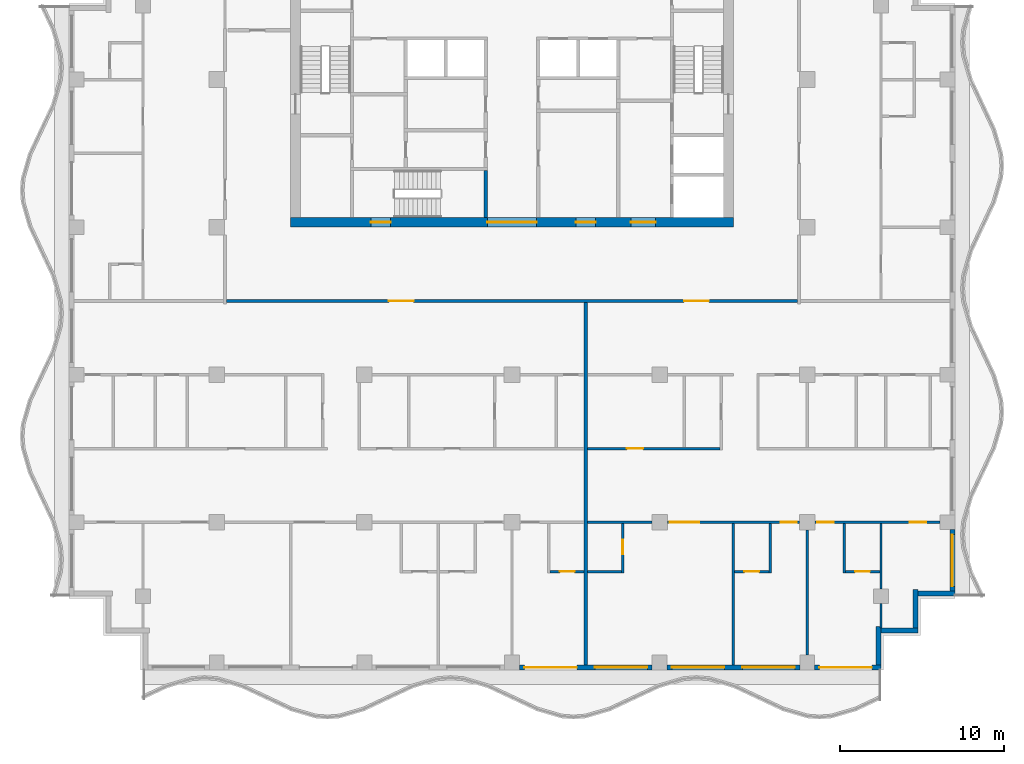
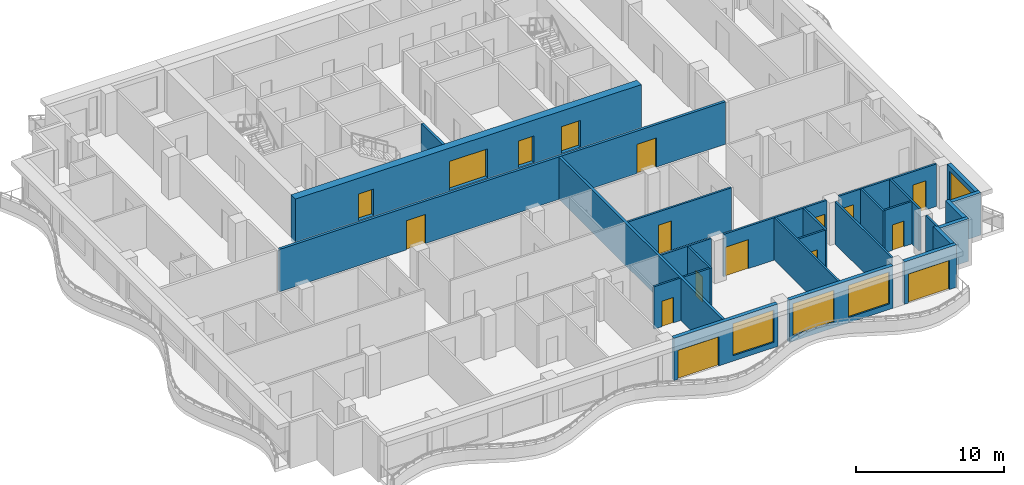
# One storey, part 3 of 11: 27 walls, 17 doors, 4 windows, 21 openings.
"""IFC4 building model written with IfcOpenShell, lengths in metres."""

from ifc_helpers import new_model, si_unit, direction, frame, frame_2d, origin, place, context, subcontext, project, spatial, rectangle, extrude, material, layer, layer_set, type_object, element, fill, save


model = new_model("IFC4")

# Units and contexts
model_context = context("Model", 3, precision=1e-05, world=origin(), true_north=direction((0.0, 1.0)))
body_context = subcontext(model_context, "Body", "Model", "MODEL_VIEW")
ifc_project = project(units=[si_unit("LENGTHUNIT", "METRE"), si_unit("AREAUNIT", "SQUARE_METRE"), si_unit("VOLUMEUNIT", "CUBIC_METRE"), si_unit("PLANEANGLEUNIT", "RADIAN"), si_unit("MASSUNIT", "GRAM", prefix="KILO")], contexts=[model_context])

# Site, building, storey
site_placement = place(None, origin())
site = spatial("IfcSite", under=ifc_project, at=site_placement, CompositionType="ELEMENT")
building_placement = place(site_placement, origin())
building = spatial("IfcBuilding", under=site, at=building_placement, Name="Orbiselva Terraces", CompositionType="ELEMENT")
storey_placement = place(building_placement, frame((0.0, 0.0, 257.8)))
storey = spatial("IfcBuildingStorey", under=building, at=storey_placement, Name="L65", CompositionType="ELEMENT", Elevation=257.8)

# Wall, openings, doors
ifc_material_1 = material(Name="Concrete C80/95", Category="concrete")
ifc_layer_1 = layer(ifc_material_1, 0.6)
ifc_layer_set_1 = layer_set([ifc_layer_1], Name="Concrete C80/95")
wall_type_1 = type_object("IfcWallType", Name="CORE WALL 600", PredefinedType="SHEAR", material=ifc_layer_set_1)
wall_1_placement = place(storey_placement, frame((-13.5, 4.8, -0.3), z_axis=(0.0, 0.0, 1.0), x_axis=(1.0, 0.0, 0.0)))
wall_1 = element("IfcWall", 1, at=wall_1_placement, inside=storey, type_object=wall_type_1, Name="Core wall L65 south", PredefinedType="SHEAR", context=body_context, shape_type="SweptSolid", body=[
    extrude(rectangle(XDim=27.0, YDim=0.6, at=frame_2d((13.5, 0.0))), origin(), (0.0, 0.0, 1.0), 3.8),
])
opening_1_placement = place(wall_1_placement, frame((12.0, 0.0, 0.3)))
opening_1 = element("IfcOpeningElement", 2, at=opening_1_placement, cuts=wall_1, Name="Opening DL3000", PredefinedType="OPENING", context=body_context, shape_type="SweptSolid", body=[
    extrude(rectangle(XDim=3.0, YDim=2.4, at=frame_2d((1.5, 1.2))), frame((0.0, 0.31, 0.0), z_axis=(0.0, -1.0, 0.0), x_axis=(1.0, 0.0, 0.0)), (0.0, 0.0, 1.0), 0.62),
])
opening_2_placement = place(wall_1_placement, frame((4.9, 0.0, 0.3)))
opening_2 = element("IfcOpeningElement", 3, at=opening_2_placement, cuts=wall_1, Name="Opening DS1200", PredefinedType="OPENING", context=body_context, shape_type="SweptSolid", body=[
    extrude(rectangle(XDim=1.2, YDim=2.2, at=frame_2d((0.6, 1.1))), frame((0.0, 0.31, 0.0), z_axis=(0.0, -1.0, 0.0), x_axis=(1.0, 0.0, 0.0)), (0.0, 0.0, 1.0), 0.62),
])
opening_3_placement = place(wall_1_placement, frame((20.75, 0.0, 0.3)))
opening_3 = element("IfcOpeningElement", 4, at=opening_3_placement, cuts=wall_1, Name="Opening DF1500", PredefinedType="OPENING", context=body_context, shape_type="SweptSolid", body=[
    extrude(rectangle(XDim=1.5, YDim=2.2, at=frame_2d((0.75, 1.1))), frame((0.0, 0.31, 0.0), z_axis=(0.0, -1.0, 0.0), x_axis=(1.0, 0.0, 0.0)), (0.0, 0.0, 1.0), 0.62),
])
opening_4_placement = place(wall_1_placement, frame((17.4, 0.0, 0.3)))
opening_4 = element("IfcOpeningElement", 5, at=opening_4_placement, cuts=wall_1, Name="Opening DV1200", PredefinedType="OPENING", context=body_context, shape_type="SweptSolid", body=[
    extrude(rectangle(XDim=1.2, YDim=2.2, at=frame_2d((0.6, 1.1))), frame((0.0, 0.31, 0.0), z_axis=(0.0, -1.0, 0.0), x_axis=(1.0, 0.0, 0.0)), (0.0, 0.0, 1.0), 0.62),
])
ifc_material_2 = material(Name="Steel fire door", Category="steel")
door_type_1 = type_object("IfcDoorType", Name="FFL DOOR 1500", OperationType="DOUBLE_DOOR_SINGLE_SWING", PredefinedType="DOOR", material=ifc_material_2)
door_1_placement = place(opening_3_placement, frame((1.5, 0.0, 0.0), z_axis=(0.0, 0.0, 1.0), x_axis=(-1.0, 0.0, 0.0)))
door_1 = element("IfcDoor", 6, at=door_1_placement, inside=storey, type_object=door_type_1, Name="L65 FIRE-FIGHTING LOBBY door", OperationType="DOUBLE_DOOR_SINGLE_SWING", OverallHeight=2.2, OverallWidth=1.5, PredefinedType="DOOR", context=body_context, shape_type="SweptSolid", body=[
    extrude(rectangle(XDim=1.5, YDim=2.2, at=frame_2d((0.75, 1.1))), frame((0.0, 0.025, 0.0), z_axis=(0.0, -1.0, 0.0), x_axis=(1.0, 0.0, 0.0)), (0.0, 0.0, 1.0), 0.05),
])
fill(opening_3, door_1)
door_type_2 = type_object("IfcDoorType", Name="LOBBY DOOR 3000", OperationType="DOUBLE_DOOR_SINGLE_SWING", PredefinedType="DOOR", material=ifc_material_2)
door_2_placement = place(opening_1_placement, frame((3.0, 0.0, 0.0), z_axis=(0.0, 0.0, 1.0), x_axis=(-1.0, 0.0, 0.0)))
door_2 = element("IfcDoor", 7, at=door_2_placement, inside=storey, type_object=door_type_2, Name="L65 LIFT LOBBY door", OperationType="DOUBLE_DOOR_SINGLE_SWING", OverallHeight=2.4, OverallWidth=3.0, PredefinedType="DOOR", context=body_context, shape_type="SweptSolid", body=[
    extrude(rectangle(XDim=3.0, YDim=2.4, at=frame_2d((1.5, 1.2))), frame((0.0, 0.025, 0.0), z_axis=(0.0, -1.0, 0.0), x_axis=(1.0, 0.0, 0.0)), (0.0, 0.0, 1.0), 0.05),
])
fill(opening_1, door_2)
door_type_3 = type_object("IfcDoorType", Name="SERVICE DOOR 1200", OperationType="NOTDEFINED", PredefinedType="DOOR", material=ifc_material_2)
door_3_placement = place(opening_4_placement, frame((1.2, 0.0, 0.0), z_axis=(0.0, 0.0, 1.0), x_axis=(-1.0, 0.0, 0.0)))
door_3 = element("IfcDoor", 8, at=door_3_placement, inside=storey, type_object=door_type_3, Name="L65 SERVICE ROOM door", OperationType="SINGLE_SWING_RIGHT", OverallHeight=2.2, OverallWidth=1.2, PredefinedType="DOOR", context=body_context, shape_type="SweptSolid", body=[
    extrude(rectangle(XDim=1.2, YDim=2.2, at=frame_2d((0.6, 1.1))), frame((0.0, 0.025, 0.0), z_axis=(0.0, -1.0, 0.0), x_axis=(1.0, 0.0, 0.0)), (0.0, 0.0, 1.0), 0.05),
])
fill(opening_4, door_3)
door_type_4 = type_object("IfcDoorType", Name="STAIR DOOR 1200", OperationType="NOTDEFINED", PredefinedType="DOOR", material=ifc_material_2)
door_4_placement = place(opening_2_placement, frame((1.2, 0.0, 0.0), z_axis=(0.0, 0.0, 1.0), x_axis=(-1.0, 0.0, 0.0)))
door_4 = element("IfcDoor", 9, at=door_4_placement, inside=storey, type_object=door_type_4, Name="L65 EXIT STAIR S3 door", OperationType="SINGLE_SWING_LEFT", OverallHeight=2.2, OverallWidth=1.2, PredefinedType="DOOR", context=body_context, shape_type="SweptSolid", body=[
    extrude(rectangle(XDim=1.2, YDim=2.2, at=frame_2d((0.6, 1.1))), frame((0.0, 0.025, 0.0), z_axis=(0.0, -1.0, 0.0), x_axis=(1.0, 0.0, 0.0)), (0.0, 0.0, 1.0), 0.05),
])
fill(opening_2, door_4)

# Wall
ifc_material_3 = material(Name="Concrete C60/75", Category="concrete")
ifc_layer_2 = layer(ifc_material_3, 0.2)
ifc_layer_set_2 = layer_set([ifc_layer_2], Name="Concrete C60/75")
wall_type_2 = type_object("IfcWallType", Name="CORE-WALL-SHEAR-200", PredefinedType="SHEAR", material=ifc_layer_set_2)
wall_2_placement = place(storey_placement, frame((-1.6, 5.1, 0.0), z_axis=(0.0, 0.0, 1.0), x_axis=(0.0, 1.0, 0.0)))
element("IfcWall", 10, at=wall_2_placement, inside=storey, type_object=wall_type_2, Name="L65 core wall 22", PredefinedType="SHEAR", context=body_context, shape_type="SweptSolid", body=[
    extrude(rectangle(XDim=2.85, YDim=0.2, at=frame_2d((1.425, 0.0))), origin(), (0.0, 0.0, 1.0), 3.5),
])

# Wall, openings, door, window
ifc_material_4 = material(Name="Terracotta cladding on masonry backing", Category="masonry")
ifc_layer_3 = layer(ifc_material_4, 0.3)
ifc_layer_set_3 = layer_set([ifc_layer_3], Name="Terracotta cladding on masonry backing")
wall_type_3 = type_object("IfcWallType", Name="ENV-WALL-TERRACOTTA-300", PredefinedType="SOLIDWALL", material=ifc_layer_set_3)
wall_3_placement = place(storey_placement, frame((8.55, -22.35, 0.0), z_axis=(0.0, 0.0, 1.0), x_axis=(-1.0, 0.0, 0.0)))
wall_3 = element("IfcWall", 11, at=wall_3_placement, inside=storey, type_object=wall_type_3, Name="Facade wall L65 S", PredefinedType="SOLIDWALL", context=body_context, shape_type="SweptSolid", body=[
    extrude(rectangle(XDim=8.1, YDim=0.3, at=frame_2d((4.05, 0.0))), origin(), (0.0, 0.0, 1.0), 3.5),
])
opening_5_placement = place(wall_3_placement, frame((4.6, 0.0, 0.0)))
opening_5 = element("IfcOpeningElement", 12, at=opening_5_placement, cuts=wall_3, Name="Opening Z5-B-E18", PredefinedType="OPENING", context=body_context, shape_type="SweptSolid", body=[
    extrude(rectangle(XDim=3.2, YDim=2.4, at=frame_2d((1.6, 1.2))), frame((0.0, 0.16, 0.0), z_axis=(0.0, -1.0, 0.0), x_axis=(1.0, 0.0, 0.0)), (0.0, 0.0, 1.0), 0.32),
])
opening_6_placement = place(wall_3_placement, frame((0.3, 0.0, 0.45)))
opening_6 = element("IfcOpeningElement", 13, at=opening_6_placement, cuts=wall_3, Name="Opening WN17", PredefinedType="OPENING", context=body_context, shape_type="SweptSolid", body=[
    extrude(rectangle(XDim=3.2, YDim=2.65, at=frame_2d((1.6, 1.325))), frame((0.0, 0.16, 0.0), z_axis=(0.0, -1.0, 0.0), x_axis=(1.0, 0.0, 0.0)), (0.0, 0.0, 1.0), 0.32),
])
ifc_material_5 = material(Name="Clear low-e glazing in aluminium frame", Category="aluminium")
door_type_5 = type_object("IfcDoorType", Name="BALCONY DOOR 3200 X 2400", OperationType="DOUBLE_DOOR_SLIDING", PredefinedType="DOOR", material=ifc_material_5)
door_5_placement = place(opening_5_placement, origin())
door_5 = element("IfcDoor", 14, at=door_5_placement, inside=storey, type_object=door_type_5, Name="Z5-B-E18", OperationType="SINGLE_SWING_LEFT", OverallHeight=2.4, OverallWidth=3.2, PredefinedType="DOOR", context=body_context, shape_type="SweptSolid", body=[
    extrude(rectangle(XDim=3.2, YDim=2.4, at=frame_2d((1.6, 1.2))), frame((0.0, 0.025, 0.0), z_axis=(0.0, -1.0, 0.0), x_axis=(1.0, 0.0, 0.0)), (0.0, 0.0, 1.0), 0.05),
])
fill(opening_5, door_5)
window_type_1 = type_object("IfcWindowType", Name="WINDOW 3200 X 2650 S450", PartitioningType="TRIPLE_PANEL_VERTICAL", PredefinedType="WINDOW", material=ifc_material_5)
window_1_placement = place(opening_6_placement, origin())
window_1 = element("IfcWindow", 15, at=window_1_placement, inside=storey, type_object=window_type_1, Name="Window L65 S", OverallHeight=2.65, OverallWidth=3.2, PartitioningType="SINGLE_PANEL", PredefinedType="WINDOW", context=body_context, shape_type="SweptSolid", body=[
    extrude(rectangle(XDim=3.2, YDim=2.65, at=frame_2d((1.6, 1.325))), frame((0.0, 0.03, 0.0), z_axis=(0.0, -1.0, 0.0), x_axis=(1.0, 0.0, 0.0)), (0.0, 0.0, 1.0), 0.06),
])
fill(opening_6, window_1)

# Wall, openings, windows
wall_4_placement = place(storey_placement, frame((17.55, -22.35, 0.0), z_axis=(0.0, 0.0, 1.0), x_axis=(-1.0, 0.0, 0.0)))
wall_4 = element("IfcWall", 16, at=wall_4_placement, inside=storey, type_object=wall_type_3, Name="Facade wall L65 S", PredefinedType="SOLIDWALL", context=body_context, shape_type="SweptSolid", body=[
    extrude(rectangle(XDim=8.1, YDim=0.3, at=frame_2d((4.05, 0.0))), origin(), (0.0, 0.0, 1.0), 3.5),
])
opening_7_placement = place(wall_4_placement, frame((4.6, 0.0, 0.45)))
opening_7 = element("IfcOpeningElement", 17, at=opening_7_placement, cuts=wall_4, Name="Opening WN17", PredefinedType="OPENING", context=body_context, shape_type="SweptSolid", body=[
    extrude(rectangle(XDim=3.2, YDim=2.65, at=frame_2d((1.6, 1.325))), frame((0.0, 0.16, 0.0), z_axis=(0.0, -1.0, 0.0), x_axis=(1.0, 0.0, 0.0)), (0.0, 0.0, 1.0), 0.32),
])
opening_8_placement = place(wall_4_placement, frame((0.3, 0.0, 0.45)))
opening_8 = element("IfcOpeningElement", 18, at=opening_8_placement, cuts=wall_4, Name="Opening WN17", PredefinedType="OPENING", context=body_context, shape_type="SweptSolid", body=[
    extrude(rectangle(XDim=3.2, YDim=2.65, at=frame_2d((1.6, 1.325))), frame((0.0, 0.16, 0.0), z_axis=(0.0, -1.0, 0.0), x_axis=(1.0, 0.0, 0.0)), (0.0, 0.0, 1.0), 0.32),
])
window_2_placement = place(opening_7_placement, origin())
window_2 = element("IfcWindow", 19, at=window_2_placement, inside=storey, type_object=window_type_1, Name="Window L65 S", OverallHeight=2.65, OverallWidth=3.2, PartitioningType="SINGLE_PANEL", PredefinedType="WINDOW", context=body_context, shape_type="SweptSolid", body=[
    extrude(rectangle(XDim=3.2, YDim=2.65, at=frame_2d((1.6, 1.325))), frame((0.0, 0.03, 0.0), z_axis=(0.0, -1.0, 0.0), x_axis=(1.0, 0.0, 0.0)), (0.0, 0.0, 1.0), 0.06),
])
fill(opening_7, window_2)
window_3_placement = place(opening_8_placement, origin())
window_3 = element("IfcWindow", 20, at=window_3_placement, inside=storey, type_object=window_type_1, Name="Window L65 S", OverallHeight=2.65, OverallWidth=3.2, PartitioningType="SINGLE_PANEL", PredefinedType="WINDOW", context=body_context, shape_type="SweptSolid", body=[
    extrude(rectangle(XDim=3.2, YDim=2.65, at=frame_2d((1.6, 1.325))), frame((0.0, 0.03, 0.0), z_axis=(0.0, -1.0, 0.0), x_axis=(1.0, 0.0, 0.0)), (0.0, 0.0, 1.0), 0.06),
])
fill(opening_8, window_3)

# Wall, opening, door
wall_5_placement = place(storey_placement, frame((22.5, -22.35, 0.0), z_axis=(0.0, 0.0, 1.0), x_axis=(-1.0, 0.0, 0.0)))
wall_5 = element("IfcWall", 21, at=wall_5_placement, inside=storey, type_object=wall_type_3, Name="Facade wall L65 S", PredefinedType="SOLIDWALL", context=body_context, shape_type="SweptSolid", body=[
    extrude(rectangle(XDim=4.05, YDim=0.3, at=frame_2d((2.025, 0.0))), origin(), (0.0, 0.0, 1.0), 3.5),
])
opening_9_placement = place(wall_5_placement, frame((0.55, 0.0, 0.0)))
opening_9 = element("IfcOpeningElement", 22, at=opening_9_placement, cuts=wall_5, Name="Opening Z5-B-E04", PredefinedType="OPENING", context=body_context, shape_type="SweptSolid", body=[
    extrude(rectangle(XDim=3.2, YDim=2.4, at=frame_2d((1.6, 1.2))), frame((0.0, 0.16, 0.0), z_axis=(0.0, -1.0, 0.0), x_axis=(1.0, 0.0, 0.0)), (0.0, 0.0, 1.0), 0.32),
])
door_6_placement = place(opening_9_placement, origin())
door_6 = element("IfcDoor", 23, at=door_6_placement, inside=storey, type_object=door_type_5, Name="Z5-B-E04", OperationType="SINGLE_SWING_LEFT", OverallHeight=2.4, OverallWidth=3.2, PredefinedType="DOOR", context=body_context, shape_type="SweptSolid", body=[
    extrude(rectangle(XDim=3.2, YDim=2.4, at=frame_2d((1.6, 1.2))), frame((0.0, 0.025, 0.0), z_axis=(0.0, -1.0, 0.0), x_axis=(1.0, 0.0, 0.0)), (0.0, 0.0, 1.0), 0.05),
])
fill(opening_9, door_6)

# Walls
wall_6_placement = place(storey_placement, frame((22.35, -19.85, 0.0), z_axis=(0.0, 0.0, 1.0), x_axis=(0.0, -1.0, 0.0)))
element("IfcWall", 24, at=wall_6_placement, inside=storey, type_object=wall_type_3, Name="Facade wall L65 STEP", PredefinedType="SOLIDWALL", context=body_context, shape_type="SweptSolid", body=[
    extrude(rectangle(XDim=2.35, YDim=0.3, at=frame_2d((1.175, 0.0))), origin(), (0.0, 0.0, 1.0), 3.5),
])
wall_7_placement = place(storey_placement, frame((24.75, -20.1, 0.0), z_axis=(0.0, 0.0, 1.0), x_axis=(-1.0, 0.0, 0.0)))
element("IfcWall", 25, at=wall_7_placement, inside=storey, type_object=wall_type_3, Name="Facade wall L65 STEP", PredefinedType="SOLIDWALL", context=body_context, shape_type="SweptSolid", body=[
    extrude(rectangle(XDim=2.25, YDim=0.3, at=frame_2d((1.125, 0.0))), origin(), (0.0, 0.0, 1.0), 3.5),
])
wall_8_placement = place(storey_placement, frame((24.6, -17.6, 0.0), z_axis=(0.0, 0.0, 1.0), x_axis=(0.0, -1.0, 0.0)))
element("IfcWall", 26, at=wall_8_placement, inside=storey, type_object=wall_type_3, Name="Facade wall L65 STEP", PredefinedType="SOLIDWALL", context=body_context, shape_type="SweptSolid", body=[
    extrude(rectangle(XDim=2.35, YDim=0.3, at=frame_2d((1.175, 0.0))), origin(), (0.0, 0.0, 1.0), 3.5),
])
wall_9_placement = place(storey_placement, frame((27.0, -17.85, 0.0), z_axis=(0.0, 0.0, 1.0), x_axis=(-1.0, 0.0, 0.0)))
element("IfcWall", 27, at=wall_9_placement, inside=storey, type_object=wall_type_3, Name="Facade wall L65 STEP", PredefinedType="SOLIDWALL", context=body_context, shape_type="SweptSolid", body=[
    extrude(rectangle(XDim=2.25, YDim=0.3, at=frame_2d((1.125, 0.0))), origin(), (0.0, 0.0, 1.0), 3.5),
])

# Wall, opening, window
wall_10_placement = place(storey_placement, frame((26.85, -13.95, 0.0), z_axis=(0.0, 0.0, 1.0), x_axis=(0.0, -1.0, 0.0)))
wall_10 = element("IfcWall", 28, at=wall_10_placement, inside=storey, type_object=wall_type_3, Name="Facade wall L65 E", PredefinedType="SOLIDWALL", context=body_context, shape_type="SweptSolid", body=[
    extrude(rectangle(XDim=3.75, YDim=0.3, at=frame_2d((1.875, 0.0))), origin(), (0.0, 0.0, 1.0), 3.5),
])
opening_10_placement = place(wall_10_placement, frame((0.3, 0.0, 0.45)))
opening_10 = element("IfcOpeningElement", 29, at=opening_10_placement, cuts=wall_10, Name="Opening WN16", PredefinedType="OPENING", context=body_context, shape_type="SweptSolid", body=[
    extrude(rectangle(XDim=3.15, YDim=2.65, at=frame_2d((1.575, 1.325))), frame((0.0, 0.16, 0.0), z_axis=(0.0, -1.0, 0.0), x_axis=(1.0, 0.0, 0.0)), (0.0, 0.0, 1.0), 0.32),
])
window_type_2 = type_object("IfcWindowType", Name="WINDOW 3150 X 2650 S450", PartitioningType="TRIPLE_PANEL_VERTICAL", PredefinedType="WINDOW", material=ifc_material_5)
window_4_placement = place(opening_10_placement, origin())
window_4 = element("IfcWindow", 30, at=window_4_placement, inside=storey, type_object=window_type_2, Name="Window L65 E", OverallHeight=2.65, OverallWidth=3.15, PartitioningType="SINGLE_PANEL", PredefinedType="WINDOW", context=body_context, shape_type="SweptSolid", body=[
    extrude(rectangle(XDim=3.15, YDim=2.65, at=frame_2d((1.575, 1.325))), frame((0.0, 0.03, 0.0), z_axis=(0.0, -1.0, 0.0), x_axis=(1.0, 0.0, 0.0)), (0.0, 0.0, 1.0), 0.06),
])
fill(opening_10, window_4)

# Wall, openings, doors
ifc_material_6 = material(Name="Plasterboard on steel stud partition", Category="steel")
ifc_layer_4 = layer(ifc_material_6, 0.2)
ifc_layer_set_4 = layer_set([ifc_layer_4], Name="Plasterboard on steel stud partition")
wall_type_4 = type_object("IfcWallType", Name="UNIT-ENTRANCE-WALL-200", PredefinedType="PARTITIONING", material=ifc_layer_set_4)
wall_11_placement = place(storey_placement, frame((17.4, 0.0, 0.0), z_axis=(0.0, 0.0, 1.0), x_axis=(-1.0, 0.0, 0.0)))
wall_11 = element("IfcWall", 31, at=wall_11_placement, inside=storey, type_object=wall_type_4, Name="PARTITION L65-026", PredefinedType="PARTITIONING", context=body_context, shape_type="SweptSolid", body=[
    extrude(rectangle(XDim=34.8, YDim=0.2, at=frame_2d((17.4, 0.0))), origin(), (0.0, 0.0, 1.0), 3.5),
])
opening_11_placement = place(wall_11_placement, frame((23.4, 0.0, 0.0)))
opening_11 = element("IfcOpeningElement", 32, at=opening_11_placement, cuts=wall_11, Name="Opening Z5-B-14", PredefinedType="OPENING", context=body_context, shape_type="SweptSolid", body=[
    extrude(rectangle(XDim=1.5, YDim=2.4, at=frame_2d((0.75, 1.2))), frame((0.0, 0.11, 0.0), z_axis=(0.0, -1.0, 0.0), x_axis=(1.0, 0.0, 0.0)), (0.0, 0.0, 1.0), 0.22),
])
opening_12_placement = place(wall_11_placement, frame((5.4, 0.0, 0.0)))
opening_12 = element("IfcOpeningElement", 33, at=opening_12_placement, cuts=wall_11, Name="Opening Z5-B-32", PredefinedType="OPENING", context=body_context, shape_type="SweptSolid", body=[
    extrude(rectangle(XDim=1.5, YDim=2.4, at=frame_2d((0.75, 1.2))), frame((0.0, 0.11, 0.0), z_axis=(0.0, -1.0, 0.0), x_axis=(1.0, 0.0, 0.0)), (0.0, 0.0, 1.0), 0.22),
])
ifc_material_7 = material(Name="Painted timber door leaf", Category="wood")
door_type_6 = type_object("IfcDoorType", Name="ENTRANCE DOUBLE DOOR 1500", OperationType="NOTDEFINED", PredefinedType="DOOR", material=ifc_material_7)
door_7_placement = place(opening_11_placement, origin())
door_7 = element("IfcDoor", 34, at=door_7_placement, inside=storey, type_object=door_type_6, Name="Z5-B-14", OperationType="DOUBLE_DOOR_SINGLE_SWING", OverallHeight=2.4, OverallWidth=1.5, PredefinedType="DOOR", context=body_context, shape_type="SweptSolid", body=[
    extrude(rectangle(XDim=1.5, YDim=2.4, at=frame_2d((0.75, 1.2))), frame((0.0, 0.025, 0.0), z_axis=(0.0, -1.0, 0.0), x_axis=(1.0, 0.0, 0.0)), (0.0, 0.0, 1.0), 0.05),
])
fill(opening_11, door_7)
door_8_placement = place(opening_12_placement, origin())
door_8 = element("IfcDoor", 35, at=door_8_placement, inside=storey, type_object=door_type_6, Name="Z5-B-32", OperationType="DOUBLE_DOOR_SINGLE_SWING", OverallHeight=2.4, OverallWidth=1.5, PredefinedType="DOOR", context=body_context, shape_type="SweptSolid", body=[
    extrude(rectangle(XDim=1.5, YDim=2.4, at=frame_2d((0.75, 1.2))), frame((0.0, 0.025, 0.0), z_axis=(0.0, -1.0, 0.0), x_axis=(1.0, 0.0, 0.0)), (0.0, 0.0, 1.0), 0.05),
])
fill(opening_12, door_8)

# Wall, opening, door
ifc_layer_5 = layer(ifc_material_6, 0.15)
ifc_layer_set_5 = layer_set([ifc_layer_5], Name="Plasterboard on steel stud partition")
wall_type_5 = type_object("IfcWallType", Name="UNIT-PARTITION-150", PredefinedType="PARTITIONING", material=ifc_layer_set_5)
wall_12_placement = place(storey_placement, frame((2.325, -16.5, 0.0), z_axis=(0.0, 0.0, 1.0), x_axis=(1.0, 0.0, 0.0)))
wall_12 = element("IfcWall", 36, at=wall_12_placement, inside=storey, type_object=wall_type_5, Name="PARTITION L65-003", PredefinedType="PARTITIONING", context=body_context, shape_type="SweptSolid", body=[
    extrude(rectangle(XDim=2.075, YDim=0.15, at=frame_2d((1.0375, 0.0))), origin(), (0.0, 0.0, 1.0), 3.5),
])
opening_13_placement = place(wall_12_placement, frame((0.6, 0.0, 0.0)))
opening_13 = element("IfcOpeningElement", 37, at=opening_13_placement, cuts=wall_12, Name="Opening Z5-B-31", PredefinedType="OPENING", context=body_context, shape_type="SweptSolid", body=[
    extrude(rectangle(XDim=0.9, YDim=2.1, at=frame_2d((0.45, 1.05))), frame((0.0, 0.085, 0.0), z_axis=(0.0, -1.0, 0.0), x_axis=(1.0, 0.0, 0.0)), (0.0, 0.0, 1.0), 0.17),
])
door_type_7 = type_object("IfcDoorType", Name="BATH DOOR 900", OperationType="NOTDEFINED", PredefinedType="DOOR", material=ifc_material_7)
door_9_placement = place(opening_13_placement, origin())
door_9 = element("IfcDoor", 38, at=door_9_placement, inside=storey, type_object=door_type_7, Name="Z5-B-31", OperationType="SINGLE_SWING_RIGHT", OverallHeight=2.1, OverallWidth=0.9, PredefinedType="DOOR", context=body_context, shape_type="SweptSolid", body=[
    extrude(rectangle(XDim=0.9, YDim=2.1, at=frame_2d((0.45, 1.05))), frame((0.0, 0.025, 0.0), z_axis=(0.0, -1.0, 0.0), x_axis=(1.0, 0.0, 0.0)), (0.0, 0.0, 1.0), 0.05),
])
fill(opening_13, door_9)

# Wall
wall_13_placement = place(storey_placement, frame((4.6, -16.5, 0.0), z_axis=(0.0, 0.0, 1.0), x_axis=(1.0, 0.0, 0.0)))
element("IfcWall", 39, at=wall_13_placement, inside=storey, type_object=wall_type_5, Name="PARTITION L65-004", PredefinedType="PARTITIONING", context=body_context, shape_type="SweptSolid", body=[
    extrude(rectangle(XDim=2.075, YDim=0.15, at=frame_2d((1.0375, 0.0))), origin(), (0.0, 0.0, 1.0), 3.5),
])

# Wall, opening, door
wall_14_placement = place(storey_placement, frame((13.575, -16.5, 0.0), z_axis=(0.0, 0.0, 1.0), x_axis=(1.0, 0.0, 0.0)))
wall_14 = element("IfcWall", 40, at=wall_14_placement, inside=storey, type_object=wall_type_5, Name="PARTITION L65-005", PredefinedType="PARTITIONING", context=body_context, shape_type="SweptSolid", body=[
    extrude(rectangle(XDim=2.1, YDim=0.15, at=frame_2d((1.05, 0.0))), origin(), (0.0, 0.0, 1.0), 3.5),
])
opening_14_placement = place(wall_14_placement, frame((0.6, 0.0, 0.0)))
opening_14 = element("IfcOpeningElement", 41, at=opening_14_placement, cuts=wall_14, Name="Opening Z5-B-43", PredefinedType="OPENING", context=body_context, shape_type="SweptSolid", body=[
    extrude(rectangle(XDim=0.9, YDim=2.1, at=frame_2d((0.45, 1.05))), frame((0.0, 0.085, 0.0), z_axis=(0.0, -1.0, 0.0), x_axis=(1.0, 0.0, 0.0)), (0.0, 0.0, 1.0), 0.17),
])
door_10_placement = place(opening_14_placement, origin())
door_10 = element("IfcDoor", 42, at=door_10_placement, inside=storey, type_object=door_type_7, Name="Z5-B-43", OperationType="SINGLE_SWING_LEFT", OverallHeight=2.1, OverallWidth=0.9, PredefinedType="DOOR", context=body_context, shape_type="SweptSolid", body=[
    extrude(rectangle(XDim=0.9, YDim=2.1, at=frame_2d((0.45, 1.05))), frame((0.0, 0.025, 0.0), z_axis=(0.0, -1.0, 0.0), x_axis=(1.0, 0.0, 0.0)), (0.0, 0.0, 1.0), 0.05),
])
fill(opening_14, door_10)

wall_15_placement = place(storey_placement, frame((20.325, -16.5, 0.0), z_axis=(0.0, 0.0, 1.0), x_axis=(1.0, 0.0, 0.0)))
wall_15 = element("IfcWall", 43, at=wall_15_placement, inside=storey, type_object=wall_type_5, Name="PARTITION L65-006", PredefinedType="PARTITIONING", context=body_context, shape_type="SweptSolid", body=[
    extrude(rectangle(XDim=2.1, YDim=0.15, at=frame_2d((1.05, 0.0))), origin(), (0.0, 0.0, 1.0), 3.5),
])
opening_15_placement = place(wall_15_placement, frame((0.6, 0.0, 0.0)))
opening_15 = element("IfcOpeningElement", 44, at=opening_15_placement, cuts=wall_15, Name="Opening Z5-B-45", PredefinedType="OPENING", context=body_context, shape_type="SweptSolid", body=[
    extrude(rectangle(XDim=0.9, YDim=2.1, at=frame_2d((0.45, 1.05))), frame((0.0, 0.085, 0.0), z_axis=(0.0, -1.0, 0.0), x_axis=(1.0, 0.0, 0.0)), (0.0, 0.0, 1.0), 0.17),
])
door_11_placement = place(opening_15_placement, origin())
door_11 = element("IfcDoor", 45, at=door_11_placement, inside=storey, type_object=door_type_7, Name="Z5-B-45", OperationType="SINGLE_SWING_LEFT", OverallHeight=2.1, OverallWidth=0.9, PredefinedType="DOOR", context=body_context, shape_type="SweptSolid", body=[
    extrude(rectangle(XDim=0.9, YDim=2.1, at=frame_2d((0.45, 1.05))), frame((0.0, 0.025, 0.0), z_axis=(0.0, -1.0, 0.0), x_axis=(1.0, 0.0, 0.0)), (0.0, 0.0, 1.0), 0.05),
])
fill(opening_15, door_11)

# Wall
wall_16_placement = place(storey_placement, frame((4.6, -13.5, 0.0), z_axis=(0.0, 0.0, 1.0), x_axis=(1.0, 0.0, 0.0)))
element("IfcWall", 46, at=wall_16_placement, inside=storey, type_object=wall_type_5, Name="PARTITION L65-011", PredefinedType="PARTITIONING", context=body_context, shape_type="SweptSolid", body=[
    extrude(rectangle(XDim=3.925, YDim=0.15, at=frame_2d((1.9625, 0.0))), origin(), (0.0, 0.0, 1.0), 3.5),
])

# Wall, openings, doors
wall_17_placement = place(storey_placement, frame((17.525, -13.5, 0.0), z_axis=(0.0, 0.0, 1.0), x_axis=(-1.0, 0.0, 0.0)))
wall_17 = element("IfcWall", 47, at=wall_17_placement, inside=storey, type_object=wall_type_5, Name="PARTITION L65-012", PredefinedType="PARTITIONING", context=body_context, shape_type="SweptSolid", body=[
    extrude(rectangle(XDim=8.05, YDim=0.15, at=frame_2d((4.025, 0.0))), origin(), (0.0, 0.0, 1.0), 3.5),
])
opening_16_placement = place(wall_17_placement, frame((6.1, 0.0, 0.0)))
opening_16 = element("IfcOpeningElement", 48, at=opening_16_placement, cuts=wall_17, Name="Opening Z5-B-40", PredefinedType="OPENING", context=body_context, shape_type="SweptSolid", body=[
    extrude(rectangle(XDim=1.8, YDim=2.4, at=frame_2d((0.9, 1.2))), frame((0.0, 0.085, 0.0), z_axis=(0.0, -1.0, 0.0), x_axis=(1.0, 0.0, 0.0)), (0.0, 0.0, 1.0), 0.17),
])
opening_17_placement = place(wall_17_placement, frame((0.15, 0.0, 0.0)))
opening_17 = element("IfcOpeningElement", 49, at=opening_17_placement, cuts=wall_17, Name="Opening Z5-B-42", PredefinedType="OPENING", context=body_context, shape_type="SweptSolid", body=[
    extrude(rectangle(XDim=1.0, YDim=2.4, at=frame_2d((0.5, 1.2))), frame((0.0, 0.085, 0.0), z_axis=(0.0, -1.0, 0.0), x_axis=(1.0, 0.0, 0.0)), (0.0, 0.0, 1.0), 0.17),
])
door_type_8 = type_object("IfcDoorType", Name="DOUBLE DOOR 1800", OperationType="NOTDEFINED", PredefinedType="DOOR", material=ifc_material_7)
door_12_placement = place(opening_16_placement, origin())
door_12 = element("IfcDoor", 50, at=door_12_placement, inside=storey, type_object=door_type_8, Name="Z5-B-40", OperationType="DOUBLE_DOOR_SINGLE_SWING", OverallHeight=2.4, OverallWidth=1.8, PredefinedType="DOOR", context=body_context, shape_type="SweptSolid", body=[
    extrude(rectangle(XDim=1.8, YDim=2.4, at=frame_2d((0.9, 1.2))), frame((0.0, 0.025, 0.0), z_axis=(0.0, -1.0, 0.0), x_axis=(1.0, 0.0, 0.0)), (0.0, 0.0, 1.0), 0.05),
])
fill(opening_16, door_12)
door_type_9 = type_object("IfcDoorType", Name="ROOM DOOR 1000", OperationType="NOTDEFINED", PredefinedType="DOOR", material=ifc_material_7)
door_13_placement = place(opening_17_placement, origin())
door_13 = element("IfcDoor", 51, at=door_13_placement, inside=storey, type_object=door_type_9, Name="Z5-B-42", OperationType="SINGLE_SWING_LEFT", OverallHeight=2.4, OverallWidth=1.0, PredefinedType="DOOR", context=body_context, shape_type="SweptSolid", body=[
    extrude(rectangle(XDim=1.0, YDim=2.4, at=frame_2d((0.5, 1.2))), frame((0.0, 0.025, 0.0), z_axis=(0.0, -1.0, 0.0), x_axis=(1.0, 0.0, 0.0)), (0.0, 0.0, 1.0), 0.05),
])
fill(opening_17, door_13)

wall_18_placement = place(storey_placement, frame((26.1, -13.5, 0.0), z_axis=(0.0, 0.0, 1.0), x_axis=(-1.0, 0.0, 0.0)))
wall_18 = element("IfcWall", 52, at=wall_18_placement, inside=storey, type_object=wall_type_5, Name="PARTITION L65-013", PredefinedType="PARTITIONING", context=body_context, shape_type="SweptSolid", body=[
    extrude(rectangle(XDim=7.625, YDim=0.15, at=frame_2d((3.8125, 0.0))), origin(), (0.0, 0.0, 1.0), 3.5),
])
opening_18_placement = place(wall_18_placement, frame((6.475, 0.0, 0.0)))
opening_18 = element("IfcOpeningElement", 53, at=opening_18_placement, cuts=wall_18, Name="Opening Z5-B-44", PredefinedType="OPENING", context=body_context, shape_type="SweptSolid", body=[
    extrude(rectangle(XDim=1.0, YDim=2.4, at=frame_2d((0.5, 1.2))), frame((0.0, 0.085, 0.0), z_axis=(0.0, -1.0, 0.0), x_axis=(1.0, 0.0, 0.0)), (0.0, 0.0, 1.0), 0.17),
])
opening_19_placement = place(wall_18_placement, frame((0.85, 0.0, 0.0)))
opening_19 = element("IfcOpeningElement", 54, at=opening_19_placement, cuts=wall_18, Name="Opening Z5-B-46", PredefinedType="OPENING", context=body_context, shape_type="SweptSolid", body=[
    extrude(rectangle(XDim=1.0, YDim=2.4, at=frame_2d((0.5, 1.2))), frame((0.0, 0.085, 0.0), z_axis=(0.0, -1.0, 0.0), x_axis=(1.0, 0.0, 0.0)), (0.0, 0.0, 1.0), 0.17),
])
door_14_placement = place(opening_18_placement, origin())
door_14 = element("IfcDoor", 55, at=door_14_placement, inside=storey, type_object=door_type_9, Name="Z5-B-44", OperationType="SINGLE_SWING_RIGHT", OverallHeight=2.4, OverallWidth=1.0, PredefinedType="DOOR", context=body_context, shape_type="SweptSolid", body=[
    extrude(rectangle(XDim=1.0, YDim=2.4, at=frame_2d((0.5, 1.2))), frame((0.0, 0.025, 0.0), z_axis=(0.0, -1.0, 0.0), x_axis=(1.0, 0.0, 0.0)), (0.0, 0.0, 1.0), 0.05),
])
fill(opening_18, door_14)
door_15_placement = place(opening_19_placement, origin())
door_15 = element("IfcDoor", 56, at=door_15_placement, inside=storey, type_object=door_type_9, Name="Z5-B-46", OperationType="SINGLE_SWING_LEFT", OverallHeight=2.4, OverallWidth=1.0, PredefinedType="DOOR", context=body_context, shape_type="SweptSolid", body=[
    extrude(rectangle(XDim=1.0, YDim=2.4, at=frame_2d((0.5, 1.2))), frame((0.0, 0.025, 0.0), z_axis=(0.0, -1.0, 0.0), x_axis=(1.0, 0.0, 0.0)), (0.0, 0.0, 1.0), 0.05),
])
fill(opening_19, door_15)

# Wall, opening, door
wall_19_placement = place(storey_placement, frame((4.6, -9.0, 0.0), z_axis=(0.0, 0.0, 1.0), x_axis=(1.0, 0.0, 0.0)))
wall_19 = element("IfcWall", 57, at=wall_19_placement, inside=storey, type_object=wall_type_5, Name="PARTITION L65-016", PredefinedType="PARTITIONING", context=body_context, shape_type="SweptSolid", body=[
    extrude(rectangle(XDim=8.075, YDim=0.15, at=frame_2d((4.0375, 0.0))), origin(), (0.0, 0.0, 1.0), 3.5),
])
opening_20_placement = place(wall_19_placement, frame((2.4, 0.0, 0.0)))
opening_20 = element("IfcOpeningElement", 58, at=opening_20_placement, cuts=wall_19, Name="Opening Z5-B-33", PredefinedType="OPENING", context=body_context, shape_type="SweptSolid", body=[
    extrude(rectangle(XDim=1.0, YDim=2.4, at=frame_2d((0.5, 1.2))), frame((0.0, 0.085, 0.0), z_axis=(0.0, -1.0, 0.0), x_axis=(1.0, 0.0, 0.0)), (0.0, 0.0, 1.0), 0.17),
])
door_16_placement = place(opening_20_placement, origin())
door_16 = element("IfcDoor", 59, at=door_16_placement, inside=storey, type_object=door_type_9, Name="Z5-B-33", OperationType="SINGLE_SWING_LEFT", OverallHeight=2.4, OverallWidth=1.0, PredefinedType="DOOR", context=body_context, shape_type="SweptSolid", body=[
    extrude(rectangle(XDim=1.0, YDim=2.4, at=frame_2d((0.5, 1.2))), frame((0.0, 0.025, 0.0), z_axis=(0.0, -1.0, 0.0), x_axis=(1.0, 0.0, 0.0)), (0.0, 0.0, 1.0), 0.05),
])
fill(opening_20, door_16)

wall_20_placement = place(storey_placement, frame((6.75, -16.575, 0.0), z_axis=(0.0, 0.0, 1.0), x_axis=(0.0, 1.0, 0.0)))
wall_20 = element("IfcWall", 60, at=wall_20_placement, inside=storey, type_object=wall_type_5, Name="PARTITION L65-065", PredefinedType="PARTITIONING", context=body_context, shape_type="SweptSolid", body=[
    extrude(rectangle(XDim=3.0, YDim=0.15, at=frame_2d((1.5, 0.0))), origin(), (0.0, 0.0, 1.0), 3.5),
])
opening_21_placement = place(wall_20_placement, frame((1.125, 0.0, 0.0)))
opening_21 = element("IfcOpeningElement", 61, at=opening_21_placement, cuts=wall_20, Name="Opening Z5-B-41", PredefinedType="OPENING", context=body_context, shape_type="SweptSolid", body=[
    extrude(rectangle(XDim=0.9, YDim=2.1, at=frame_2d((0.45, 1.05))), frame((0.0, 0.085, 0.0), z_axis=(0.0, -1.0, 0.0), x_axis=(1.0, 0.0, 0.0)), (0.0, 0.0, 1.0), 0.17),
])
door_17_placement = place(opening_21_placement, origin())
door_17 = element("IfcDoor", 62, at=door_17_placement, inside=storey, type_object=door_type_7, Name="Z5-B-41", OperationType="SINGLE_SWING_RIGHT", OverallHeight=2.1, OverallWidth=0.9, PredefinedType="DOOR", context=body_context, shape_type="SweptSolid", body=[
    extrude(rectangle(XDim=0.9, YDim=2.1, at=frame_2d((0.45, 1.05))), frame((0.0, 0.025, 0.0), z_axis=(0.0, -1.0, 0.0), x_axis=(1.0, 0.0, 0.0)), (0.0, 0.0, 1.0), 0.05),
])
fill(opening_21, door_17)

# Walls
wall_21_placement = place(storey_placement, frame((13.5, -22.2, 0.0), z_axis=(0.0, 0.0, 1.0), x_axis=(0.0, 1.0, 0.0)))
element("IfcWall", 63, at=wall_21_placement, inside=storey, type_object=wall_type_5, Name="PARTITION L65-068", PredefinedType="PARTITIONING", context=body_context, shape_type="SweptSolid", body=[
    extrude(rectangle(XDim=8.625, YDim=0.15, at=frame_2d((4.3125, 0.0))), origin(), (0.0, 0.0, 1.0), 3.5),
])
wall_22_placement = place(storey_placement, frame((15.75, -16.575, 0.0), z_axis=(0.0, 0.0, 1.0), x_axis=(0.0, 1.0, 0.0)))
element("IfcWall", 64, at=wall_22_placement, inside=storey, type_object=wall_type_5, Name="PARTITION L65-070", PredefinedType="PARTITIONING", context=body_context, shape_type="SweptSolid", body=[
    extrude(rectangle(XDim=3.0, YDim=0.15, at=frame_2d((1.5, 0.0))), origin(), (0.0, 0.0, 1.0), 3.5),
])
wall_23_placement = place(storey_placement, frame((18.0, -21.6, 0.0), z_axis=(0.0, 0.0, 1.0), x_axis=(0.0, 1.0, 0.0)))
element("IfcWall", 65, at=wall_23_placement, inside=storey, type_object=wall_type_5, Name="PARTITION L65-074", PredefinedType="PARTITIONING", context=body_context, shape_type="SweptSolid", body=[
    extrude(rectangle(XDim=7.625, YDim=0.15, at=frame_2d((3.8125, 0.0))), origin(), (0.0, 0.0, 1.0), 3.5),
])
wall_24_placement = place(storey_placement, frame((20.25, -16.575, 0.0), z_axis=(0.0, 0.0, 1.0), x_axis=(0.0, 1.0, 0.0)))
element("IfcWall", 66, at=wall_24_placement, inside=storey, type_object=wall_type_5, Name="PARTITION L65-076", PredefinedType="PARTITIONING", context=body_context, shape_type="SweptSolid", body=[
    extrude(rectangle(XDim=3.0, YDim=0.15, at=frame_2d((1.5, 0.0))), origin(), (0.0, 0.0, 1.0), 3.5),
])
wall_25_placement = place(storey_placement, frame((22.5, -19.95, 0.0), z_axis=(0.0, 0.0, 1.0), x_axis=(0.0, 1.0, 0.0)))
element("IfcWall", 67, at=wall_25_placement, inside=storey, type_object=wall_type_5, Name="PARTITION L65-078", PredefinedType="PARTITIONING", context=body_context, shape_type="SweptSolid", body=[
    extrude(rectangle(XDim=1.5, YDim=0.15, at=frame_2d((0.75, 0.0))), origin(), (0.0, 0.0, 1.0), 3.5),
])
wall_26_placement = place(storey_placement, frame((22.5, -17.55, 0.0), z_axis=(0.0, 0.0, 1.0), x_axis=(0.0, 1.0, 0.0)))
element("IfcWall", 68, at=wall_26_placement, inside=storey, type_object=wall_type_5, Name="PARTITION L65-079", PredefinedType="PARTITIONING", context=body_context, shape_type="SweptSolid", body=[
    extrude(rectangle(XDim=3.975, YDim=0.15, at=frame_2d((1.9875, 0.0))), origin(), (0.0, 0.0, 1.0), 3.5),
])
ifc_layer_6 = layer(ifc_material_6, 0.2)
ifc_layer_set_6 = layer_set([ifc_layer_6], Name="Plasterboard on steel stud partition")
wall_type_6 = type_object("IfcWallType", Name="UNIT-PARTY-WALL-200", PredefinedType="PARTITIONING", material=ifc_layer_set_6)
wall_27_placement = place(storey_placement, frame((4.5, -22.2, 0.0), z_axis=(0.0, 0.0, 1.0), x_axis=(0.0, 1.0, 0.0)))
element("IfcWall", 69, at=wall_27_placement, inside=storey, type_object=wall_type_6, Name="PARTITION L65-064", PredefinedType="PARTITIONING", context=body_context, shape_type="SweptSolid", body=[
    extrude(rectangle(XDim=22.1, YDim=0.2, at=frame_2d((11.05, 0.0))), origin(), (0.0, 0.0, 1.0), 3.5),
])

save(model, "model.ifc")
